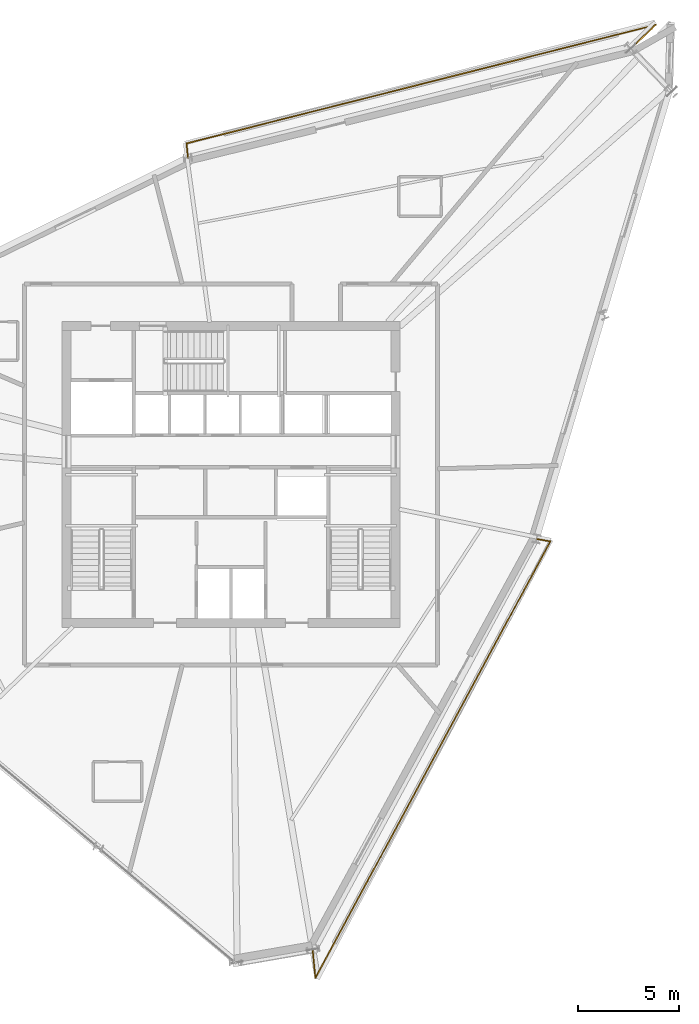
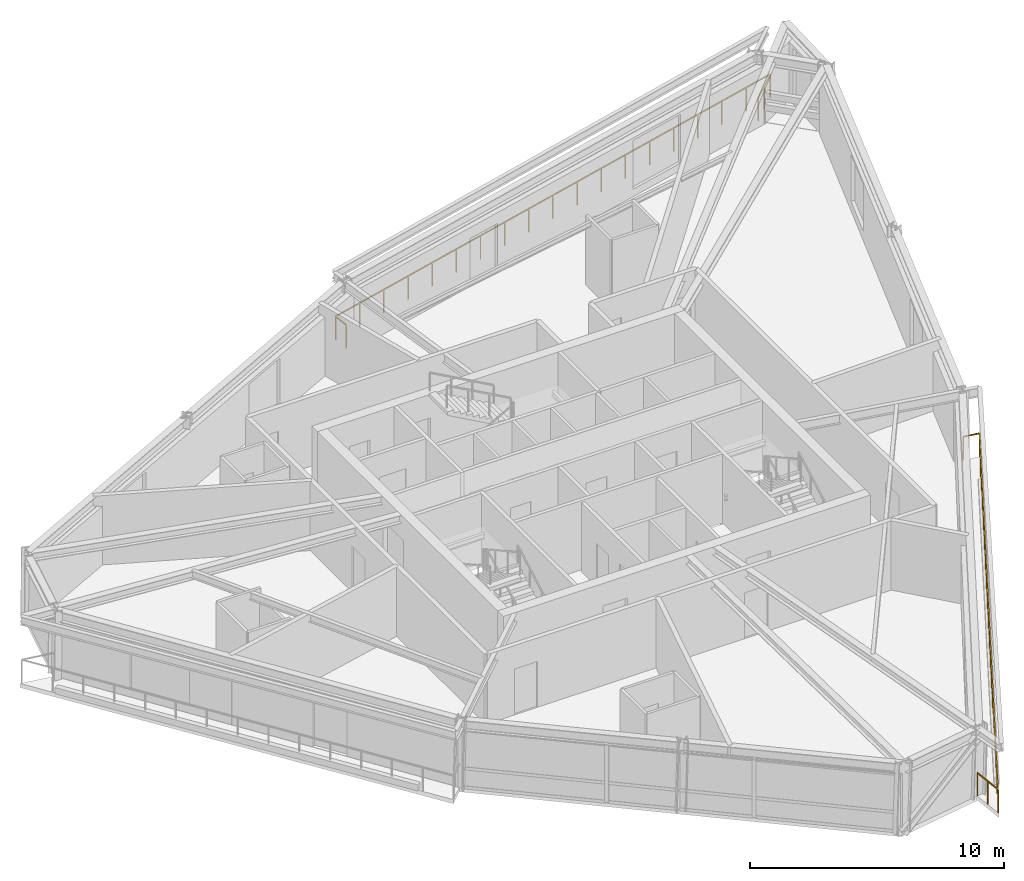
# One storey, part 14 of 14: 2 railings.
"""IFC4 building model written with IfcOpenShell, lengths in metres."""

from ifc_helpers import new_model, si_unit, direction, frame, origin, origin_2d, place, context, subcontext, project, spatial, rectangle, extrude, material, type_object, element, save


model = new_model("IFC4")

# Units and contexts
model_context = context("Model", 3, precision=1e-05, world=origin(), true_north=direction((0.0, 1.0)))
body_context = subcontext(model_context, "Body", "Model", "MODEL_VIEW")
ifc_project = project(units=[si_unit("LENGTHUNIT", "METRE"), si_unit("AREAUNIT", "SQUARE_METRE"), si_unit("VOLUMEUNIT", "CUBIC_METRE"), si_unit("PLANEANGLEUNIT", "RADIAN"), si_unit("MASSUNIT", "GRAM", prefix="KILO")], contexts=[model_context])

# Site, building, storey
site_placement = place(None, origin())
site = spatial("IfcSite", under=ifc_project, at=site_placement, CompositionType="ELEMENT")
building_placement = place(site_placement, origin())
building = spatial("IfcBuilding", under=site, at=building_placement, Name="Olszyna Solenne Hotel", CompositionType="ELEMENT")
storey_placement = place(building_placement, frame((0.0, 0.0, 216.699951171875)))
storey = spatial("IfcBuildingStorey", under=building, at=storey_placement, Name="L57", CompositionType="ELEMENT", Elevation=216.699951171875)

# Railings
ifc_material = material(Name="Anodised bronze aluminium", Category="aluminium")
railing_type = type_object("IfcRailingType", Name="GR-110", PredefinedType="BALUSTRADE", material=ifc_material)
railing_1_placement = place(storey_placement, frame((57.733154296875, 47.60888671875, 0.0)))
element("IfcRailing", 1, at=railing_1_placement, inside=storey, type_object=railing_type, Name="Loggia balcony balustrade guard GR-L57-LG1", PredefinedType="BALUSTRADE", context=body_context, shape_type="SweptSolid", body=[
    extrude(rectangle(XDim=0.048095703125, YDim=0.048095703125, at=origin_2d()), frame((0.0, 0.0, 1.1259765625), z_axis=(0.720894062753, 0.693045272899, 0.0), x_axis=(-0.693045272899, 0.720894062753, 0.0)), (0.0, 0.0, 1.0), 1.69189453125),
    extrude(rectangle(XDim=0.048095703125, YDim=0.048095703125, at=origin_2d()), frame((1.2197265625, 1.172607421875, 1.1259765625), z_axis=(-0.969517948809, -0.245020299031, 0.0), x_axis=(0.245020299031, -0.969517948809, 0.0)), (0.0, 0.0, 1.0), 23.875),
    extrude(rectangle(XDim=0.048095703125, YDim=0.048095703125, at=origin_2d()), frame((-21.927490234375, -4.67724609375, 1.1259765625), z_axis=(0.097731822761, -0.995212786704, 0.0), x_axis=(0.995212786704, 0.097731822761, 0.0)), (0.0, 0.0, 1.0), 0.70947265625),
    extrude(rectangle(XDim=0.0419921875, YDim=0.0419921875, at=origin_2d()), origin(), (0.0, 0.0, 1.0), 1.101806640625),
    extrude(rectangle(XDim=0.0419921875, YDim=0.0419921875, at=origin_2d()), frame((0.60986328125, 0.58642578125, 0.0)), (0.0, 0.0, 1.0), 1.101806640625),
    extrude(rectangle(XDim=0.0419921875, YDim=0.0419921875, at=origin_2d()), frame((1.2197265625, 1.172607421875, 0.0)), (0.0, 0.0, 1.0), 1.101806640625),
    extrude(rectangle(XDim=0.0419921875, YDim=0.0419921875, at=origin_2d()), frame((-0.066162109375, 0.84765625, 0.0)), (0.0, 0.0, 1.0), 1.101806640625),
    extrude(rectangle(XDim=0.0419921875, YDim=0.0419921875, at=origin_2d()), frame((-1.352294921875, 0.522705078125, 0.0)), (0.0, 0.0, 1.0), 1.101806640625),
    extrude(rectangle(XDim=0.0419921875, YDim=0.0419921875, at=origin_2d()), frame((-2.63818359375, 0.19775390625, 0.0)), (0.0, 0.0, 1.0), 1.101806640625),
    extrude(rectangle(XDim=0.0419921875, YDim=0.0419921875, at=origin_2d()), frame((-3.924072265625, -0.12744140625, 0.0)), (0.0, 0.0, 1.0), 1.101806640625),
    extrude(rectangle(XDim=0.0419921875, YDim=0.0419921875, at=origin_2d()), frame((-5.2099609375, -0.452392578125, 0.0)), (0.0, 0.0, 1.0), 1.101806640625),
    extrude(rectangle(XDim=0.0419921875, YDim=0.0419921875, at=origin_2d()), frame((-6.49609375, -0.77734375, 0.0)), (0.0, 0.0, 1.0), 1.101806640625),
    extrude(rectangle(XDim=0.0419921875, YDim=0.0419921875, at=origin_2d()), frame((-7.781982421875, -1.102294921875, 0.0)), (0.0, 0.0, 1.0), 1.101806640625),
    extrude(rectangle(XDim=0.0419921875, YDim=0.0419921875, at=origin_2d()), frame((-9.06787109375, -1.42724609375, 0.0)), (0.0, 0.0, 1.0), 1.101806640625),
    extrude(rectangle(XDim=0.0419921875, YDim=0.0419921875, at=origin_2d()), frame((-10.35400390625, -1.75244140625, 0.0)), (0.0, 0.0, 1.0), 1.101806640625),
    extrude(rectangle(XDim=0.0419921875, YDim=0.0419921875, at=origin_2d()), frame((-11.639892578125, -2.077392578125, 0.0)), (0.0, 0.0, 1.0), 1.101806640625),
    extrude(rectangle(XDim=0.0419921875, YDim=0.0419921875, at=origin_2d()), frame((-12.92578125, -2.40234375, 0.0)), (0.0, 0.0, 1.0), 1.101806640625),
    extrude(rectangle(XDim=0.0419921875, YDim=0.0419921875, at=origin_2d()), frame((-14.211669921875, -2.727294921875, 0.0)), (0.0, 0.0, 1.0), 1.101806640625),
    extrude(rectangle(XDim=0.0419921875, YDim=0.0419921875, at=origin_2d()), frame((-15.497802734375, -3.05224609375, 0.0)), (0.0, 0.0, 1.0), 1.101806640625),
    extrude(rectangle(XDim=0.0419921875, YDim=0.0419921875, at=origin_2d()), frame((-16.78369140625, -3.377197265625, 0.0)), (0.0, 0.0, 1.0), 1.101806640625),
    extrude(rectangle(XDim=0.0419921875, YDim=0.0419921875, at=origin_2d()), frame((-18.069580078125, -3.7021484375, 0.0)), (0.0, 0.0, 1.0), 1.101806640625),
    extrude(rectangle(XDim=0.0419921875, YDim=0.0419921875, at=origin_2d()), frame((-19.35546875, -4.02734375, 0.0)), (0.0, 0.0, 1.0), 1.101806640625),
    extrude(rectangle(XDim=0.0419921875, YDim=0.0419921875, at=origin_2d()), frame((-20.6416015625, -4.352294921875, 0.0)), (0.0, 0.0, 1.0), 1.101806640625),
    extrude(rectangle(XDim=0.0419921875, YDim=0.0419921875, at=origin_2d()), frame((-21.927490234375, -4.67724609375, 0.0)), (0.0, 0.0, 1.0), 1.101806640625),
    extrude(rectangle(XDim=0.0419921875, YDim=0.0419921875, at=origin_2d()), frame((-21.858154296875, -5.38330078125, 0.0)), (0.0, 0.0, 1.0), 1.101806640625),
])
railing_2_placement = place(storey_placement, frame((42.025634765625, 3.16064453125, 0.0)))
element("IfcRailing", 2, at=railing_2_placement, inside=storey, type_object=railing_type, Name="Loggia balcony balustrade guard GR-L57-LG3", PredefinedType="BALUSTRADE", context=body_context, shape_type="SweptSolid", body=[
    extrude(rectangle(XDim=0.048095703125, YDim=0.048095703125, at=origin_2d()), frame((0.0, 0.0, 1.1259765625), z_axis=(0.097765305243, -0.995209498091, 0.0), x_axis=(0.995209498091, 0.097765305243, 0.0)), (0.0, 0.0, 1.0), 1.41845703125),
    extrude(rectangle(XDim=0.048095703125, YDim=0.048095703125, at=origin_2d()), frame((0.138671875, -1.41162109375, 1.1259765625), z_axis=(0.473815950351, 0.880623895425, 0.0), x_axis=(-0.880623895425, 0.473815950351, 0.0)), (0.0, 0.0, 1.0), 24.4658203125),
    extrude(rectangle(XDim=0.048095703125, YDim=0.048095703125, at=origin_2d()), frame((11.73095703125, 20.133544921875, 1.1259765625), z_axis=(-0.984840526668, 0.173462206351, 0.0), x_axis=(-0.173462206351, -0.984840526668, 0.0)), (0.0, 0.0, 1.0), 0.689697265625),
    extrude(rectangle(XDim=0.0419921875, YDim=0.0419921875, at=origin_2d()), origin(), (0.0, 0.0, 1.0), 1.101806640625),
    extrude(rectangle(XDim=0.0419921875, YDim=0.0419921875, at=origin_2d()), frame((0.0693359375, -0.705810546875, 0.0)), (0.0, 0.0, 1.0), 1.101806640625),
    extrude(rectangle(XDim=0.0419921875, YDim=0.0419921875, at=origin_2d()), frame((0.138671875, -1.41162109375, 0.0)), (0.0, 0.0, 1.0), 1.101806640625),
    extrude(rectangle(XDim=0.0419921875, YDim=0.0419921875, at=origin_2d()), frame((0.78271484375, -0.214599609375, 0.0)), (0.0, 0.0, 1.0), 1.101806640625),
    extrude(rectangle(XDim=0.0419921875, YDim=0.0419921875, at=origin_2d()), frame((1.4267578125, 0.982177734375, 0.0)), (0.0, 0.0, 1.0), 1.101806640625),
    extrude(rectangle(XDim=0.0419921875, YDim=0.0419921875, at=origin_2d()), frame((2.07080078125, 2.17919921875, 0.0)), (0.0, 0.0, 1.0), 1.101806640625),
    extrude(rectangle(XDim=0.0419921875, YDim=0.0419921875, at=origin_2d()), frame((2.71484375, 3.376220703125, 0.0)), (0.0, 0.0, 1.0), 1.101806640625),
    extrude(rectangle(XDim=0.0419921875, YDim=0.0419921875, at=origin_2d()), frame((3.358642578125, 4.5732421875, 0.0)), (0.0, 0.0, 1.0), 1.101806640625),
    extrude(rectangle(XDim=0.0419921875, YDim=0.0419921875, at=origin_2d()), frame((4.002685546875, 5.77001953125, 0.0)), (0.0, 0.0, 1.0), 1.101806640625),
    extrude(rectangle(XDim=0.0419921875, YDim=0.0419921875, at=origin_2d()), frame((4.646728515625, 6.967041015625, 0.0)), (0.0, 0.0, 1.0), 1.101806640625),
    extrude(rectangle(XDim=0.0419921875, YDim=0.0419921875, at=origin_2d()), frame((5.290771484375, 8.1640625, 0.0)), (0.0, 0.0, 1.0), 1.101806640625),
    extrude(rectangle(XDim=0.0419921875, YDim=0.0419921875, at=origin_2d()), frame((5.934814453125, 9.36083984375, 0.0)), (0.0, 0.0, 1.0), 1.101806640625),
    extrude(rectangle(XDim=0.0419921875, YDim=0.0419921875, at=origin_2d()), frame((6.578857421875, 10.557861328125, 0.0)), (0.0, 0.0, 1.0), 1.101806640625),
    extrude(rectangle(XDim=0.0419921875, YDim=0.0419921875, at=origin_2d()), frame((7.222900390625, 11.7548828125, 0.0)), (0.0, 0.0, 1.0), 1.101806640625),
    extrude(rectangle(XDim=0.0419921875, YDim=0.0419921875, at=origin_2d()), frame((7.866943359375, 12.951904296875, 0.0)), (0.0, 0.0, 1.0), 1.101806640625),
    extrude(rectangle(XDim=0.0419921875, YDim=0.0419921875, at=origin_2d()), frame((8.510986328125, 14.148681640625, 0.0)), (0.0, 0.0, 1.0), 1.101806640625),
    extrude(rectangle(XDim=0.0419921875, YDim=0.0419921875, at=origin_2d()), frame((9.15478515625, 15.345703125, 0.0)), (0.0, 0.0, 1.0), 1.101806640625),
    extrude(rectangle(XDim=0.0419921875, YDim=0.0419921875, at=origin_2d()), frame((9.798828125, 16.542724609375, 0.0)), (0.0, 0.0, 1.0), 1.101806640625),
    extrude(rectangle(XDim=0.0419921875, YDim=0.0419921875, at=origin_2d()), frame((10.44287109375, 17.73974609375, 0.0)), (0.0, 0.0, 1.0), 1.101806640625),
    extrude(rectangle(XDim=0.0419921875, YDim=0.0419921875, at=origin_2d()), frame((11.0869140625, 18.9365234375, 0.0)), (0.0, 0.0, 1.0), 1.101806640625),
    extrude(rectangle(XDim=0.0419921875, YDim=0.0419921875, at=origin_2d()), frame((11.73095703125, 20.133544921875, 0.0)), (0.0, 0.0, 1.0), 1.101806640625),
    extrude(rectangle(XDim=0.0419921875, YDim=0.0419921875, at=origin_2d()), frame((11.0517578125, 20.253173828125, 0.0)), (0.0, 0.0, 1.0), 1.101806640625),
])

save(model, "model.ifc")
